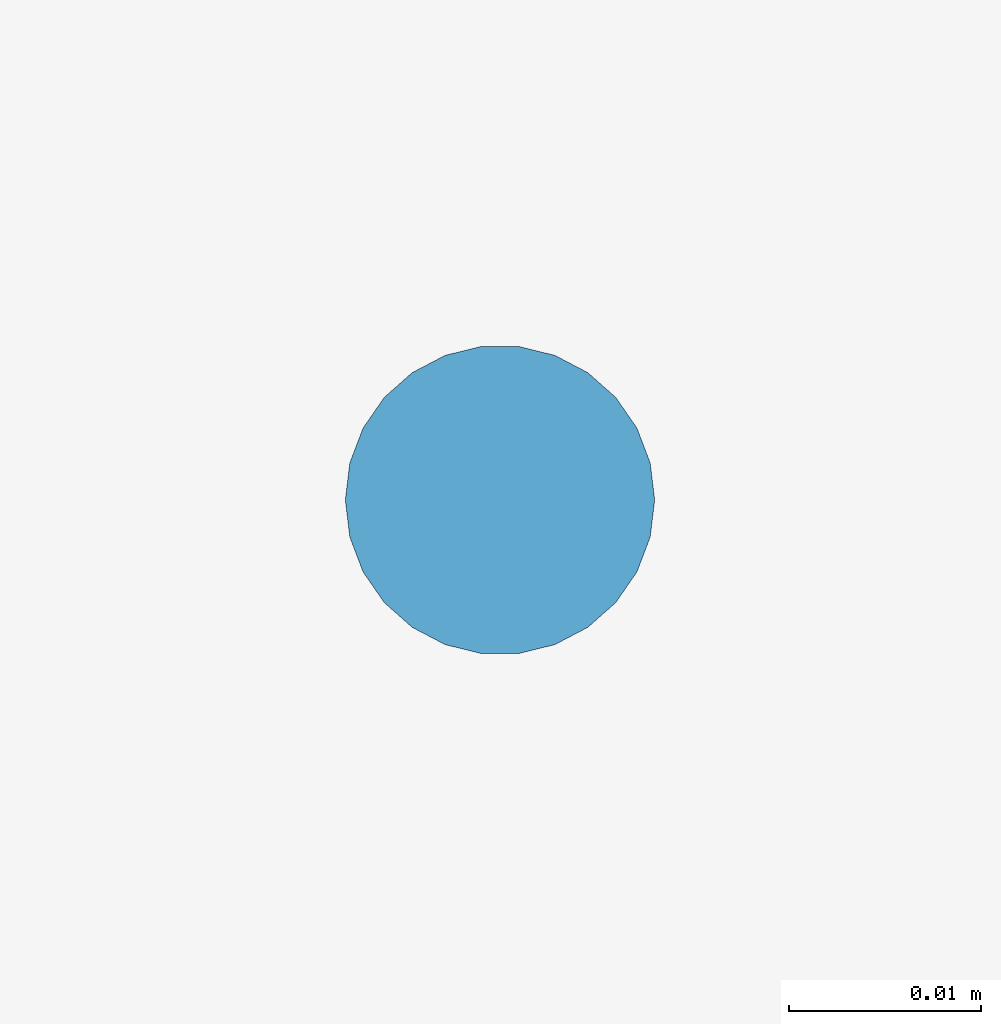
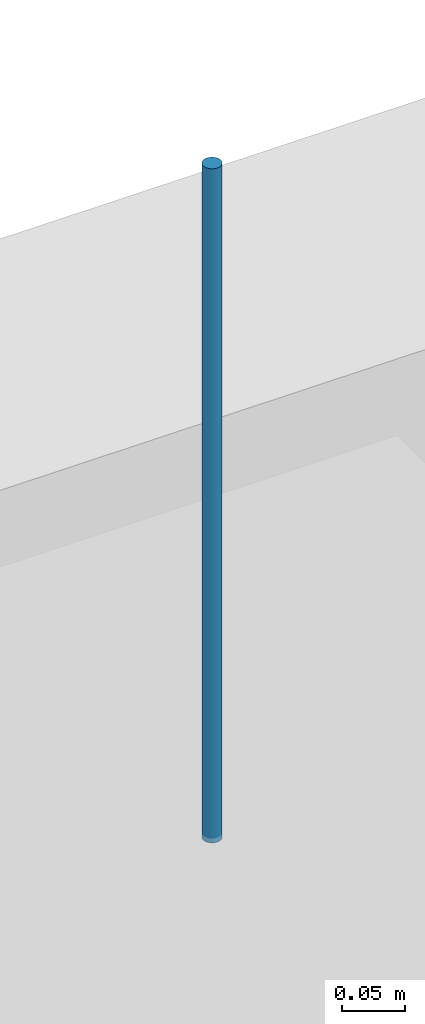
# One storey, part 73 of 77: 1 discrete accessory.
"""IFC4 building model written with IfcOpenShell, lengths in metres."""

from ifc_helpers import new_model, si_unit, direction, frame, origin, origin_2d, place, context, subcontext, project, spatial, circle, extrude, material, type_object, element, save


model = new_model("IFC4")

# Units and contexts
model_context = context("Model", 3, precision=1e-05, world=origin(), true_north=direction((0.0, 1.0)))
body_context = subcontext(model_context, "Body", "Model", "MODEL_VIEW")
ifc_project = project(units=[si_unit("LENGTHUNIT", "METRE"), si_unit("AREAUNIT", "SQUARE_METRE"), si_unit("VOLUMEUNIT", "CUBIC_METRE"), si_unit("PLANEANGLEUNIT", "RADIAN"), si_unit("MASSUNIT", "GRAM", prefix="KILO")], contexts=[model_context])

# Site, building, storey
site_placement = place(None, origin())
site = spatial("IfcSite", under=ifc_project, at=site_placement, CompositionType="ELEMENT")
building_placement = place(site_placement, origin())
building = spatial("IfcBuilding", under=site, at=building_placement, Name="Yukiwa Park Conservatory and Herbarium", CompositionType="ELEMENT")
storey_placement = place(building_placement, frame((0.0, 0.0, 13.199951171875)))
storey = spatial("IfcBuildingStorey", under=building, at=storey_placement, Name="L03", CompositionType="ELEMENT", Elevation=13.199951171875)

# Discrete accessory
ifc_material = material(Name="Steel Q235B", Category="steel")
discrete_accessory_type = type_object("IfcDiscreteAccessoryType", Name="ACC-CEILING-HANGER", PredefinedType="BRACKET", material=ifc_material)
discrete_accessory_placement = place(storey_placement, frame((152.60009765625, 114.0, 3.275146484375), z_axis=(0.0, 0.0, 1.0), x_axis=(1.0, 0.0, 0.0)))
element("IfcDiscreteAccessory", 1, at=discrete_accessory_placement, inside=storey, type_object=discrete_accessory_type, Name="Ceiling suspension hanger rod 19", PredefinedType="BRACKET", context=body_context, shape_type="SweptSolid", body=[
    extrude(circle(Radius=0.008056640625, at=origin_2d()), origin(), (0.0, 0.0, 1.0), 0.64990234375),
])

save(model, "model.ifc")
